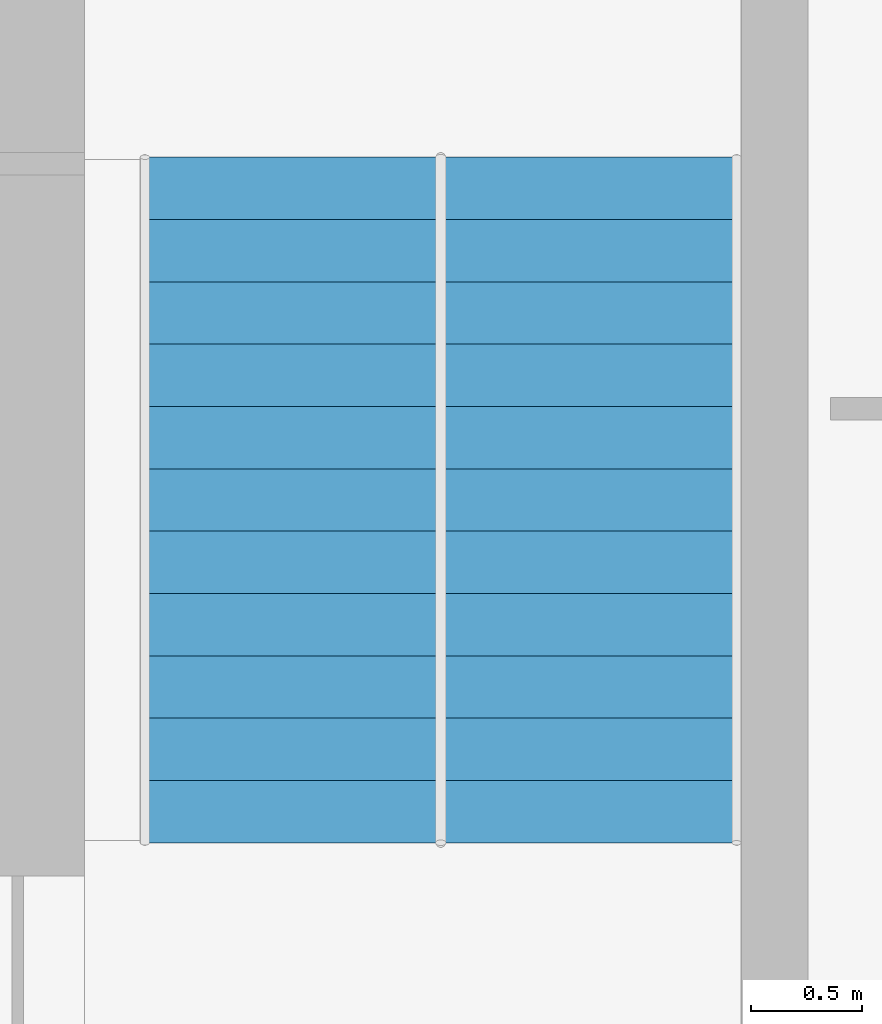
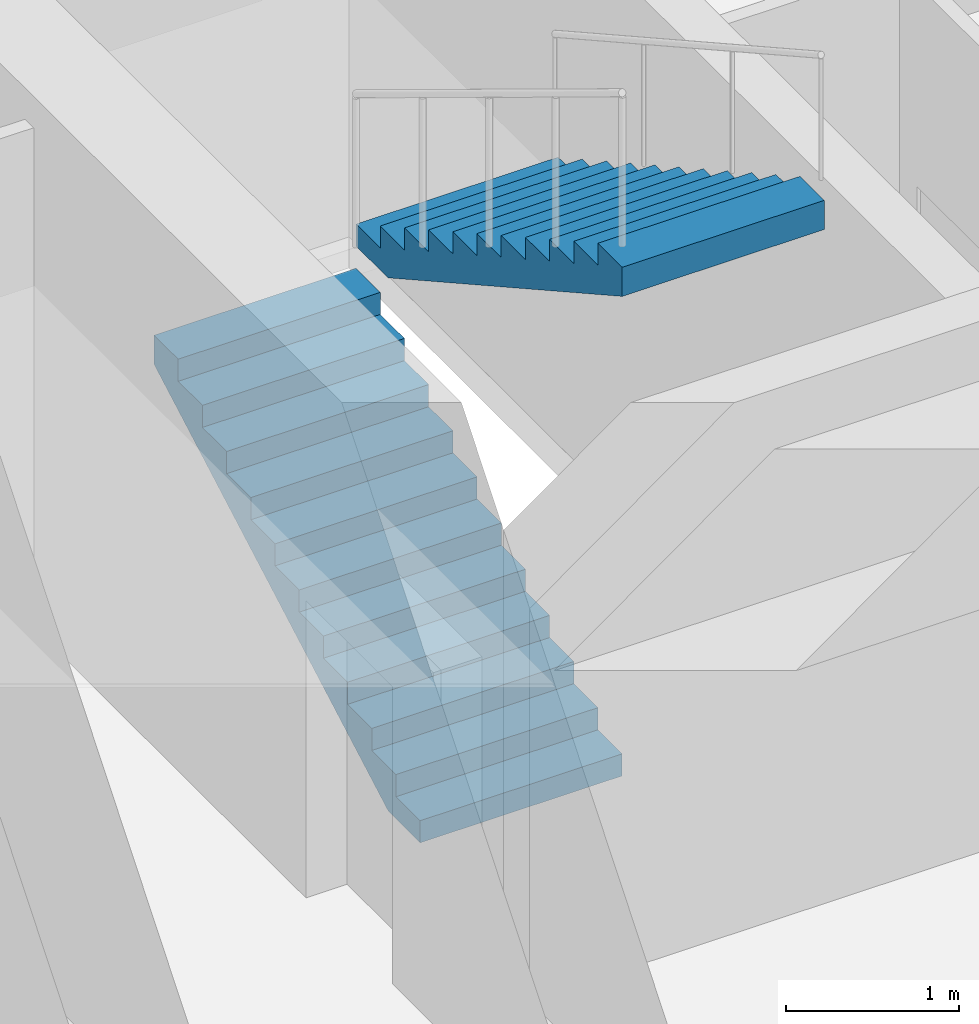
# One storey, part 9 of 10: 2 stair flights, 1 element without a shape of its own.
"""IFC4 building model written with IfcOpenShell, lengths in metres."""

import ifcopenshell
import ifcopenshell.guid

model = None  # the IFC model being written
_history = None  # IfcOwnerHistory: only IFC2X3 demands one
_inside = {}  # id of a spatial element -> (the spatial element, [elements in it])
_under = {}  # id of a project, library or spatial element -> (it, [spatial elements below it])
_declared = {}  # id of a project -> (the project, [libraries it declares])
_typed = {}  # id of a type object -> (the type object, [elements of that type])
_made_of = {}  # id of a material, layer set ... -> (it, [elements and type objects made of it])


def new_model(schema):
    """Start an empty IFC model of exactly this schema.

    Asked for "IFC4X3", IfcOpenShell would pick the latest addendum, in which some entities
    have other attributes; the version numbers below select the first issue.
    IFC2X3 requires an IfcOwnerHistory on every rooted entity: one is made here for all.
    """
    global model, _history
    if schema == "IFC4X3":
        model = ifcopenshell.file(schema_version=(4, 3, 0, 0))
    else:
        model = ifcopenshell.file(schema=schema)
    _inside.clear()
    _under.clear()
    _declared.clear()
    _typed.clear()
    _made_of.clear()
    _history = None
    if model.schema == "IFC2X3":
        org = make("IfcOrganization", Name="unknown")
        user = make(
            "IfcPersonAndOrganization",
            ThePerson=make("IfcPerson", FamilyName="unknown"),
            TheOrganization=org,
        )
        app = make(
            "IfcApplication",
            ApplicationDeveloper=org,
            Version="unknown",
            ApplicationFullName="unknown",
            ApplicationIdentifier="unknown",
        )
        _history = make(
            "IfcOwnerHistory",
            OwningUser=user,
            OwningApplication=app,
            ChangeAction="ADDED",
            CreationDate=0,
        )
    return model


def make(cls, **values):
    """One entity of the class cls with the attributes given. An attribute that is None is left unset."""
    return model.create_entity(
        cls, **{name: value for name, value in values.items() if value is not None}
    )


def rooted(cls, **values):
    """An entity with a GlobalId (a new one), such as an element, a storey or a relation."""
    return make(cls, GlobalId=ifcopenshell.guid.new(), OwnerHistory=_history, **values)


def si_unit(unit_type, name, prefix=None):
    """IfcSIUnit, for example si_unit("LENGTHUNIT", "METRE", prefix="MILLI")."""
    return make("IfcSIUnit", UnitType=unit_type, Prefix=prefix, Name=name)


def assignment(units):
    """IfcUnitAssignment: the units of a project."""
    return None if units is None else make("IfcUnitAssignment", Units=units)


def point(xyz):
    """IfcCartesianPoint."""
    return None if xyz is None else make("IfcCartesianPoint", Coordinates=xyz)


def direction(xyz):
    """IfcDirection."""
    return None if xyz is None else make("IfcDirection", DirectionRatios=xyz)


def frame(location, z_axis=None, x_axis=None):
    """IfcAxis2Placement3D, a coordinate frame: its origin and axes. An axis left out is left unset."""
    return make(
        "IfcAxis2Placement3D",
        Location=point(location),
        Axis=direction(z_axis),
        RefDirection=direction(x_axis),
    )


def origin():
    """The frame at (0, 0, 0) with its axes left unset."""
    return frame((0.0, 0.0, 0.0))


def place(relative_to, where):
    """IfcLocalPlacement: puts the frame where relative to a parent placement (None: the world)."""
    return make(
        "IfcLocalPlacement", PlacementRelTo=relative_to, RelativePlacement=where
    )


def context(
    kind, dimensions, precision=None, world=None, true_north=None, identifier=None
):
    """IfcGeometricRepresentationContext, for example the 3D "Model" context."""
    return make(
        "IfcGeometricRepresentationContext",
        ContextIdentifier=identifier,
        ContextType=kind,
        CoordinateSpaceDimension=dimensions,
        Precision=precision,
        WorldCoordinateSystem=world,
        TrueNorth=true_north,
    )


def subcontext(parent, identifier, kind, view, scale=None):
    """IfcGeometricRepresentationSubContext, for example "Body" below "Model"."""
    return make(
        "IfcGeometricRepresentationSubContext",
        ContextIdentifier=identifier,
        ContextType=kind,
        ParentContext=parent,
        TargetScale=scale,
        TargetView=view,
    )


def project(units=None, contexts=None):
    """IfcProject with its units and contexts."""
    return rooted(
        "IfcProject",
        Name="project",
        RepresentationContexts=contexts,
        UnitsInContext=assignment(units),
    )


def spatial(cls, under=None, at=None, **own):
    """A site, building, storey or space (cls), placed at a placement, below another one or the project."""
    s = rooted(cls, ObjectPlacement=at, **own)
    if under is not None:
        _under.setdefault(under.id(), (under, []))[1].append(s)
    return s


def polyline(points):
    """IfcPolyline through the points."""
    return make("IfcPolyline", Points=[point(p) for p in points])


def outline(outer, holes=None, kind="AREA"):
    """IfcArbitraryClosedProfileDef: a profile drawn as a closed curve; with holes, ...WithVoids."""
    if holes is None:
        return make("IfcArbitraryClosedProfileDef", ProfileType=kind, OuterCurve=outer)
    return make(
        "IfcArbitraryProfileDefWithVoids",
        ProfileType=kind,
        OuterCurve=outer,
        InnerCurves=holes,
    )


def extrude(swept, where, along, depth):
    """IfcExtrudedAreaSolid: the profile swept, set in the frame where, extruded along a direction by depth."""
    return make(
        "IfcExtrudedAreaSolid",
        SweptArea=swept,
        Position=where,
        ExtrudedDirection=direction(along),
        Depth=depth,
    )


def shape(context_of_items, identifier, shape_type, items):
    """IfcShapeRepresentation: the items that make up one representation, for example the "Body"."""
    return make(
        "IfcShapeRepresentation",
        ContextOfItems=context_of_items,
        RepresentationIdentifier=identifier,
        RepresentationType=shape_type,
        Items=items,
    )


def material(Name=None, Category=None):
    """IfcMaterial."""
    return make("IfcMaterial", Name=Name, Category=Category)


def made_of(thing, what):
    """Note that an element or type object is made of a material, layer set ...; save() writes the relation."""
    if what is not None:
        _made_of.setdefault(what.id(), (what, []))[1].append(thing)
    return thing


def type_object(cls, material=None, **own):
    """A type object (cls), such as IfcWallType, which elements share."""
    return made_of(rooted(cls, **own), material)


def element(
    cls,
    number,
    at=None,
    inside=None,
    cuts=None,
    type_object=None,
    material=None,
    context=None,
    identifier="Body",
    shape_type=None,
    held_by="IfcProductDefinitionShape",
    body=None,
    shapes=None,
    **own,
):
    """One element of the class cls, such as IfcWall. Its Tag is "e" and its number.

    at: its placement. inside: the storey or other place that contains it. cuts: it is an
    opening in that element (IfcRelVoidsElement). A single representation is given by context,
    identifier, shape_type and body (its items); several are given by shapes. held_by: the class
    of the entity that holds the representations. save() writes the other relations.
    """
    e = rooted(cls, Tag="e%d" % number, ObjectPlacement=at, **own)
    if body is not None:
        shapes = [shape(context, identifier, shape_type, body)]
    if shapes is not None:
        e.Representation = make(held_by, Representations=shapes)
    if inside is not None:
        _inside.setdefault(inside.id(), (inside, []))[1].append(e)
    if cuts is not None:
        rooted(
            "IfcRelVoidsElement", RelatingBuildingElement=cuts, RelatedOpeningElement=e
        )
    if type_object is not None:
        _typed.setdefault(type_object.id(), (type_object, []))[1].append(e)
    return made_of(e, material)


def aggregate(whole, parts):
    """IfcRelAggregates: a whole, such as a stair, and the parts it consists of."""
    return rooted("IfcRelAggregates", RelatingObject=whole, RelatedObjects=parts)


def save(model, path):
    """Write the relations noted so far, then the file.

    IfcRelAggregates (storeys below a building ...), IfcRelContainedInSpatialStructure (elements
    in a storey), IfcRelDefinesByType, IfcRelAssociatesMaterial and IfcRelDeclares: one each for
    every whole, place, type object, material and project.
    """
    for whole, parts in _under.values():
        aggregate(whole, parts)
    for where, things in _inside.values():
        rooted(
            "IfcRelContainedInSpatialStructure",
            RelatedElements=things,
            RelatingStructure=where,
        )
    for kind, things in _typed.values():
        rooted("IfcRelDefinesByType", RelatedObjects=things, RelatingType=kind)
    for what, things in _made_of.values():
        rooted("IfcRelAssociatesMaterial", RelatedObjects=things, RelatingMaterial=what)
    for by, libraries in _declared.values():
        rooted("IfcRelDeclares", RelatingContext=by, RelatedDefinitions=libraries)
    model.write(path)


model = new_model("IFC4")

# Units and contexts
model_context = context("Model", 3, precision=1e-05, world=origin(), true_north=direction((0.0, 1.0)))
body_context = subcontext(model_context, "Body", "Model", "MODEL_VIEW")
ifc_project = project(units=[si_unit("LENGTHUNIT", "METRE"), si_unit("AREAUNIT", "SQUARE_METRE"), si_unit("VOLUMEUNIT", "CUBIC_METRE"), si_unit("PLANEANGLEUNIT", "RADIAN"), si_unit("MASSUNIT", "GRAM", prefix="KILO")], contexts=[model_context])

# Site, building, storey
site_placement = place(None, origin())
site = spatial("IfcSite", under=ifc_project, at=site_placement, CompositionType="ELEMENT")
building_placement = place(site_placement, origin())
building = spatial("IfcBuilding", under=site, at=building_placement, Name="Impinga Residences", CompositionType="ELEMENT")
storey_placement = place(building_placement, frame((0.0, 0.0, 252.25)))
storey = spatial("IfcBuildingStorey", under=building, at=storey_placement, Name="L63", CompositionType="ELEMENT", Elevation=252.25)

# Stair, stair flights
ifc_material = material(Name="Concrete C40/50", Category="concrete")
stair_type = type_object("IfcStairType", Name="STR wing stair 3750 storey, 24 risers", PredefinedType="HALF_TURN_STAIR", material=ifc_material)
stair_placement = place(storey_placement, origin())
stair = element("IfcStair", 1, at=stair_placement, inside=storey, type_object=stair_type, Name="Stair WS1 L63", PredefinedType="HALF_TURN_STAIR")
stair_flight_type = type_object("IfcStairFlightType", Name="SF 12 risers of 156", PredefinedType="STRAIGHT", material=ifc_material)
stair_flight_1_placement = place(storey_placement, frame((2.425048828125, 22.131591796875, 0.0), z_axis=(0.0, 0.0, 1.0), x_axis=(0.0, 1.0, 0.0)))
stair_flight_1 = element("IfcStairFlight", 2, at=stair_flight_1_placement, type_object=stair_flight_type, Name="WS1 flight 1", NumberOfRisers=12, NumberOfTreads=11, PredefinedType="STRAIGHT", RiserHeight=0.15625, TreadLength=0.28, context=body_context, shape_type="SweptSolid", body=[
    extrude(outline(polyline([(0.0, 0.0), (0.0, 0.15625), (0.280029296875, 0.15625), (0.280029296875, 0.3125), (0.56005859375, 0.3125), (0.56005859375, 0.46875), (0.840087890625, 0.46875), (0.840087890625, 0.625), (1.1201171875, 0.625), (1.1201171875, 0.78125), (1.39990234375, 0.78125), (1.39990234375, 0.9375), (1.679931640625, 0.9375), (1.679931640625, 1.09375), (1.9599609375, 1.09375), (1.9599609375, 1.25), (2.239990234375, 1.25), (2.239990234375, 1.40625), (2.52001953125, 1.40625), (2.52001953125, 1.5625), (2.800048828125, 1.5625), (2.800048828125, 1.71875), (3.080078125, 1.71875), (3.080078125, 1.875), (3.080078125, 1.5126953125), (0.369140625, 0.0), (0.0, 0.0)])), frame((0.0, 0.675048828125, 0.0), z_axis=(0.0, -1.0, 0.0), x_axis=(1.0, 0.0, 0.0)), (0.0, 0.0, 1.0), 1.35009765625),
])
stair_flight_2_placement = place(storey_placement, frame((3.77490234375, 25.21142578125, 1.875), z_axis=(0.0, 0.0, 1.0), x_axis=(0.0, -1.0, 0.0)))
stair_flight_2 = element("IfcStairFlight", 3, at=stair_flight_2_placement, type_object=stair_flight_type, Name="WS1 flight 2", NumberOfRisers=12, NumberOfTreads=11, PredefinedType="STRAIGHT", RiserHeight=0.15625, TreadLength=0.28, context=body_context, shape_type="SweptSolid", body=[
    extrude(outline(polyline([(0.0, 0.0), (0.0, 0.15625), (0.280029296875, 0.15625), (0.280029296875, 0.3125), (0.56005859375, 0.3125), (0.56005859375, 0.46875), (0.840087890625, 0.46875), (0.840087890625, 0.625), (1.1201171875, 0.625), (1.1201171875, 0.78125), (1.39990234375, 0.78125), (1.39990234375, 0.9375), (1.679931640625, 0.9375), (1.679931640625, 1.09375), (1.9599609375, 1.09375), (1.9599609375, 1.25), (2.239990234375, 1.25), (2.239990234375, 1.40625), (2.52001953125, 1.40625), (2.52001953125, 1.5625), (2.800048828125, 1.5625), (2.800048828125, 1.71875), (3.080078125, 1.71875), (3.080078125, 1.875), (3.080078125, 1.5126953125), (0.369140625, 0.0), (0.0, 0.0)])), frame((0.0, 0.675048828125, 0.0), z_axis=(0.0, -1.0, 0.0), x_axis=(1.0, 0.0, 0.0)), (0.0, 0.0, 1.0), 1.35009765625),
])
aggregate(stair, [stair_flight_1, stair_flight_2])

save(model, "model.ifc")
